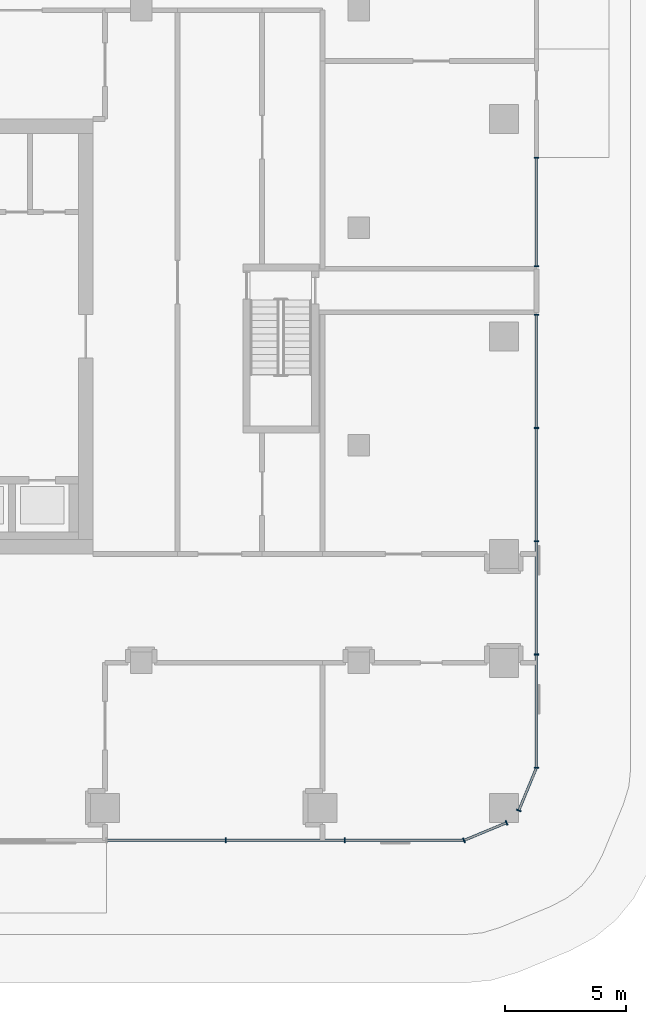
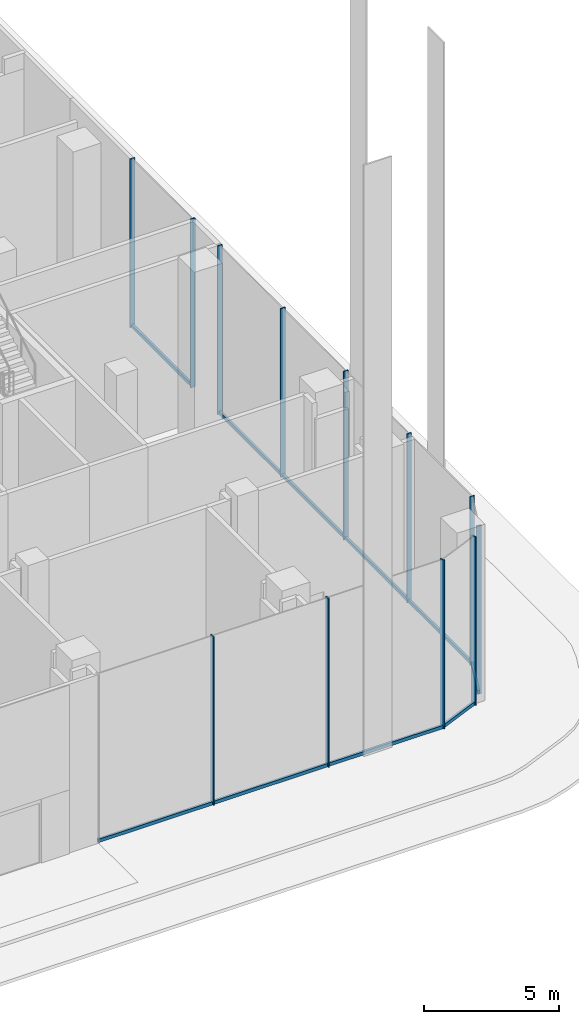
# One storey, part 9 of 42: 17 members, 5 elements without a shape of their own.
"""IFC4 building model written with IfcOpenShell, lengths in metres."""

from ifc_helpers import new_model, si_unit, direction, frame, origin, origin_2d, place, context, subcontext, project, spatial, rectangle, extrude, material, layer, layer_set, material_profile, profile_set, type_object, element, aggregate, save


model = new_model("IFC4")

# Units and contexts
model_context = context("Model", 3, precision=1e-05, world=origin(), true_north=direction((0.0, 1.0)))
body_context = subcontext(model_context, "Body", "Model", "MODEL_VIEW")
ifc_project = project(units=[si_unit("LENGTHUNIT", "METRE"), si_unit("AREAUNIT", "SQUARE_METRE"), si_unit("VOLUMEUNIT", "CUBIC_METRE"), si_unit("PLANEANGLEUNIT", "RADIAN"), si_unit("MASSUNIT", "GRAM", prefix="KILO")], contexts=[model_context])

# Site, building, storey
site_placement = place(None, origin())
site = spatial("IfcSite", under=ifc_project, at=site_placement, CompositionType="ELEMENT")
building_placement = place(site_placement, origin())
building = spatial("IfcBuilding", under=site, at=building_placement, Name="Plateau Cross Towers", CompositionType="ELEMENT")
storey_placement = place(building_placement, origin())
storey = spatial("IfcBuildingStorey", under=building, at=storey_placement, Name="L00", CompositionType="ELEMENT", Elevation=0.0)

# Curtain wall, members
ifc_material_1 = material(Name="Dark low-iron laminated glass", Category="glass")
ifc_layer = layer(ifc_material_1, 0.300048828125)
ifc_layer_set = layer_set([ifc_layer], Name="Dark low-iron laminated glass")
curtain_wall_type = type_object("IfcCurtainWallType", Name="Curtain wall structural silicone CW-C", PredefinedType="NOTDEFINED", material=ifc_layer_set)
curtain_wall_1_placement = place(storey_placement, origin())
curtain_wall_1 = element("IfcCurtainWall", 1, at=curtain_wall_1_placement, inside=storey, type_object=curtain_wall_type, Name="ENV/P/L00/P901_-118", PredefinedType="NOTDEFINED")
ifc_material_2 = material(Name="Black anodised aluminium", Category="aluminium")
ifc_material_profile_1 = material_profile(ifc_material_2, rectangle(XDim=0.050048828125, YDim=0.199951171875, at=origin_2d()), Name="MULLION 50x200")
ifc_profile_set_1 = profile_set([ifc_material_profile_1], Name="Black anodised aluminium")
member_type_1 = type_object("IfcMemberType", Name="Mullion 50x200 structural silicone", PredefinedType="MULLION", material=ifc_profile_set_1)
member_1_placement = place(storey_placement, frame((94.989990234375, -11.85009765625, 0.0), z_axis=(0.0, 0.0, 1.0), x_axis=(1.0, 0.0, 0.0)))
member_1 = element("IfcMember", 2, at=member_1_placement, type_object=member_type_1, Name="CW-C mullion 2", PredefinedType="MULLION", context=body_context, shape_type="SweptSolid", body=[
    extrude(rectangle(XDim=0.050048828125, YDim=0.199951171875, at=origin_2d()), origin(), (0.0, 0.0, 1.0), 7.64990234375),
])
member_2_placement = place(storey_placement, frame((99.919921875, -11.85009765625, 0.0), z_axis=(0.0, 0.0, 1.0), x_axis=(1.0, 0.0, 0.0)))
member_2 = element("IfcMember", 3, at=member_2_placement, type_object=member_type_1, Name="CW-C mullion 3", PredefinedType="MULLION", context=body_context, shape_type="SweptSolid", body=[
    extrude(rectangle(XDim=0.050048828125, YDim=0.199951171875, at=origin_2d()), origin(), (0.0, 0.0, 1.0), 7.64990234375),
])

curtain_wall_2_placement = place(storey_placement, origin())
curtain_wall_2 = element("IfcCurtainWall", 4, at=curtain_wall_2_placement, inside=storey, type_object=curtain_wall_type, Name="ENV/P/L00/P1048_-118", PredefinedType="NOTDEFINED")
member_3_placement = place(storey_placement, frame((104.85009765625, -11.85009765625, 0.0), z_axis=(0.0, 0.0, 1.0), x_axis=(0.923879457699, 0.382683612978, 0.0)))
member_3 = element("IfcMember", 5, at=member_3_placement, type_object=member_type_1, Name="CW-C mullion 1", PredefinedType="MULLION", context=body_context, shape_type="SweptSolid", body=[
    extrude(rectangle(XDim=0.050048828125, YDim=0.199951171875, at=origin_2d()), origin(), (0.0, 0.0, 1.0), 7.64990234375),
])
member_4_placement = place(storey_placement, frame((106.6123046875, -11.1201171875, 0.0), z_axis=(0.0, 0.0, 1.0), x_axis=(0.923879457699, 0.382683612978, 0.0)))
member_4 = element("IfcMember", 6, at=member_4_placement, type_object=member_type_1, Name="CW-C mullion 2", PredefinedType="MULLION", context=body_context, shape_type="SweptSolid", body=[
    extrude(rectangle(XDim=0.050048828125, YDim=0.199951171875, at=origin_2d()), origin(), (0.0, 0.0, 1.0), 7.64990234375),
])

# Curtain wall, member
curtain_wall_3_placement = place(storey_placement, origin())
curtain_wall_3 = element("IfcCurtainWall", 7, at=curtain_wall_3_placement, inside=storey, type_object=curtain_wall_type, Name="ENV/P/L00/P1071_-106", PredefinedType="NOTDEFINED")
member_5_placement = place(storey_placement, frame((107.1201171875, -10.6123046875, 0.0), z_axis=(0.0, 0.0, 1.0), x_axis=(0.382683612978, 0.923879457699, 0.0)))
member_5 = element("IfcMember", 8, at=member_5_placement, type_object=member_type_1, Name="CW-C mullion 1", PredefinedType="MULLION", context=body_context, shape_type="SweptSolid", body=[
    extrude(rectangle(XDim=0.050048828125, YDim=0.199951171875, at=origin_2d()), origin(), (0.0, 0.0, 1.0), 7.64990234375),
])

# Curtain wall, members
curtain_wall_4_placement = place(storey_placement, origin())
curtain_wall_4 = element("IfcCurtainWall", 9, at=curtain_wall_4_placement, inside=storey, type_object=curtain_wall_type, Name="ENV/P/L00/P1078_-88", PredefinedType="NOTDEFINED")
member_6_placement = place(storey_placement, frame((107.85009765625, -8.85009765625, 0.0), z_axis=(0.0, 0.0, 1.0), x_axis=(0.0, 1.0, 0.0)))
member_6 = element("IfcMember", 10, at=member_6_placement, type_object=member_type_1, Name="CW-C mullion 1", PredefinedType="MULLION", context=body_context, shape_type="SweptSolid", body=[
    extrude(rectangle(XDim=0.050048828125, YDim=0.199951171875, at=origin_2d()), origin(), (0.0, 0.0, 1.0), 7.64990234375),
])
member_7_placement = place(storey_placement, frame((107.85009765625, -4.16259765625, 0.0), z_axis=(0.0, 0.0, 1.0), x_axis=(0.0, 1.0, 0.0)))
member_7 = element("IfcMember", 11, at=member_7_placement, type_object=member_type_1, Name="CW-C mullion 2", PredefinedType="MULLION", context=body_context, shape_type="SweptSolid", body=[
    extrude(rectangle(XDim=0.050048828125, YDim=0.199951171875, at=origin_2d()), origin(), (0.0, 0.0, 1.0), 7.64990234375),
])
member_8_placement = place(storey_placement, frame((107.85009765625, 0.52490234375, 0.0), z_axis=(0.0, 0.0, 1.0), x_axis=(0.0, 1.0, 0.0)))
member_8 = element("IfcMember", 12, at=member_8_placement, type_object=member_type_1, Name="CW-C mullion 3", PredefinedType="MULLION", context=body_context, shape_type="SweptSolid", body=[
    extrude(rectangle(XDim=0.050048828125, YDim=0.199951171875, at=origin_2d()), origin(), (0.0, 0.0, 1.0), 7.64990234375),
])
member_9_placement = place(storey_placement, frame((107.85009765625, 5.21240234375, 0.0), z_axis=(0.0, 0.0, 1.0), x_axis=(0.0, 1.0, 0.0)))
member_9 = element("IfcMember", 13, at=member_9_placement, type_object=member_type_1, Name="CW-C mullion 4", PredefinedType="MULLION", context=body_context, shape_type="SweptSolid", body=[
    extrude(rectangle(XDim=0.050048828125, YDim=0.199951171875, at=origin_2d()), origin(), (0.0, 0.0, 1.0), 7.64990234375),
])
member_10_placement = place(storey_placement, frame((107.85009765625, 9.89990234375, 0.0), z_axis=(0.0, 0.0, 1.0), x_axis=(0.0, 1.0, 0.0)))
member_10 = element("IfcMember", 14, at=member_10_placement, type_object=member_type_1, Name="CW-C mullion 5", PredefinedType="MULLION", context=body_context, shape_type="SweptSolid", body=[
    extrude(rectangle(XDim=0.050048828125, YDim=0.199951171875, at=origin_2d()), origin(), (0.0, 0.0, 1.0), 7.64990234375),
])

curtain_wall_5_placement = place(storey_placement, origin())
curtain_wall_5 = element("IfcCurtainWall", 15, at=curtain_wall_5_placement, inside=storey, type_object=curtain_wall_type, Name="ENV/P/L00/P1078_119", PredefinedType="NOTDEFINED")
member_11_placement = place(storey_placement, frame((107.85009765625, 11.89990234375, 0.0), z_axis=(0.0, 0.0, 1.0), x_axis=(0.0, 1.0, 0.0)))
member_11 = element("IfcMember", 16, at=member_11_placement, type_object=member_type_1, Name="CW-C mullion 1", PredefinedType="MULLION", context=body_context, shape_type="SweptSolid", body=[
    extrude(rectangle(XDim=0.050048828125, YDim=0.199951171875, at=origin_2d()), origin(), (0.0, 0.0, 1.0), 7.64990234375),
])
member_12_placement = place(storey_placement, frame((107.85009765625, 16.39501953125, 0.0), z_axis=(0.0, 0.0, 1.0), x_axis=(0.0, 1.0, 0.0)))
member_12 = element("IfcMember", 17, at=member_12_placement, type_object=member_type_1, Name="CW-C mullion 2", PredefinedType="MULLION", context=body_context, shape_type="SweptSolid", body=[
    extrude(rectangle(XDim=0.050048828125, YDim=0.199951171875, at=origin_2d()), origin(), (0.0, 0.0, 1.0), 7.64990234375),
])

# Member
ifc_material_profile_2 = material_profile(ifc_material_2, rectangle(XDim=0.10009765625, YDim=0.14990234375, at=origin_2d()), Name="TRANSOM 100x150")
ifc_profile_set_2 = profile_set([ifc_material_profile_2], Name="Black anodised aluminium")
member_type_2 = type_object("IfcMemberType", Name="Transom 100x150 structural silicone", PredefinedType="USERDEFINED", material=ifc_profile_set_2)
member_13_placement = place(storey_placement, frame((90.06005859375, -11.85009765625, 0.074951171875), z_axis=(1.0, 0.0, 0.0), x_axis=(0.0, 1.0, 0.0)))
member_13 = element("IfcMember", 18, at=member_13_placement, type_object=member_type_2, Name="CW-C transom", ObjectType="TRANSOM", PredefinedType="USERDEFINED", context=body_context, shape_type="SweptSolid", body=[
    extrude(rectangle(XDim=0.10009765625, YDim=0.14990234375, at=origin_2d()), origin(), (0.0, 0.0, 1.0), 14.7900390625),
])

aggregate(curtain_wall_1, [member_1, member_2, member_13])

member_14_placement = place(storey_placement, frame((104.85009765625, -11.85009765625, 0.074951171875), z_axis=(0.923870187147, 0.38270599329, 0.0), x_axis=(-0.38270599329, 0.923870187147, 0.0)))
member_14 = element("IfcMember", 19, at=member_14_placement, type_object=member_type_2, Name="CW-C transom", ObjectType="TRANSOM", PredefinedType="USERDEFINED", context=body_context, shape_type="SweptSolid", body=[
    extrude(rectangle(XDim=0.10009765625, YDim=0.14990234375, at=origin_2d()), origin(), (0.0, 0.0, 1.0), 1.907470703125),
])

aggregate(curtain_wall_2, [member_3, member_4, member_14])

member_15_placement = place(storey_placement, frame((107.1201171875, -10.6123046875, 0.074951171875), z_axis=(0.38270599329, 0.923870187147, 0.0), x_axis=(-0.923870187147, 0.38270599329, 0.0)))
member_15 = element("IfcMember", 20, at=member_15_placement, type_object=member_type_2, Name="CW-C transom", ObjectType="TRANSOM", PredefinedType="USERDEFINED", context=body_context, shape_type="SweptSolid", body=[
    extrude(rectangle(XDim=0.10009765625, YDim=0.14990234375, at=origin_2d()), origin(), (0.0, 0.0, 1.0), 1.907470703125),
])

aggregate(curtain_wall_3, [member_5, member_15])

member_16_placement = place(storey_placement, frame((107.85009765625, -8.85009765625, 0.074951171875), z_axis=(0.0, 1.0, 0.0), x_axis=(-1.0, 0.0, 0.0)))
member_16 = element("IfcMember", 21, at=member_16_placement, type_object=member_type_2, Name="CW-C transom", ObjectType="TRANSOM", PredefinedType="USERDEFINED", context=body_context, shape_type="SweptSolid", body=[
    extrude(rectangle(XDim=0.10009765625, YDim=0.14990234375, at=origin_2d()), origin(), (0.0, 0.0, 1.0), 18.75),
])

aggregate(curtain_wall_4, [member_6, member_7, member_8, member_9, member_10, member_16])

member_17_placement = place(storey_placement, frame((107.85009765625, 11.89990234375, 0.074951171875), z_axis=(0.0, 1.0, 0.0), x_axis=(-1.0, 0.0, 0.0)))
member_17 = element("IfcMember", 22, at=member_17_placement, type_object=member_type_2, Name="CW-C transom", ObjectType="TRANSOM", PredefinedType="USERDEFINED", context=body_context, shape_type="SweptSolid", body=[
    extrude(rectangle(XDim=0.10009765625, YDim=0.14990234375, at=origin_2d()), origin(), (0.0, 0.0, 1.0), 4.4951171875),
])

aggregate(curtain_wall_5, [member_11, member_12, member_17])

save(model, "model.ifc")
